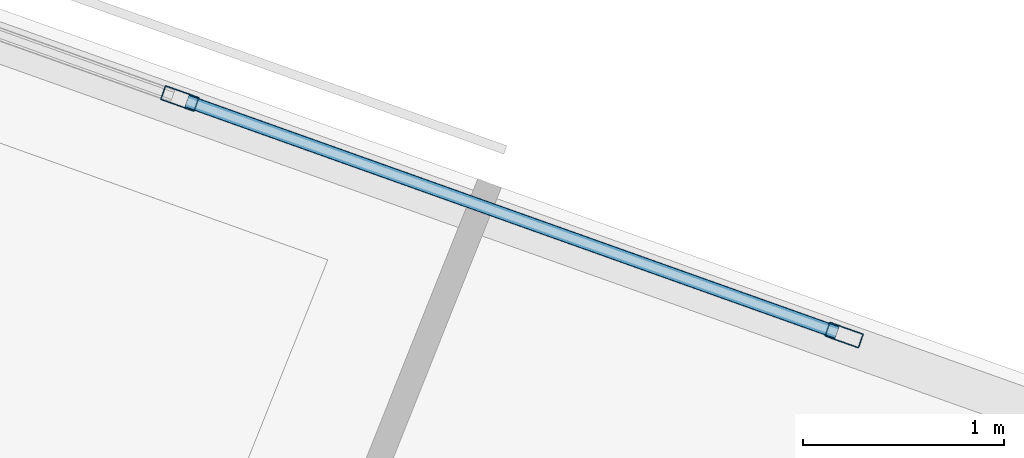
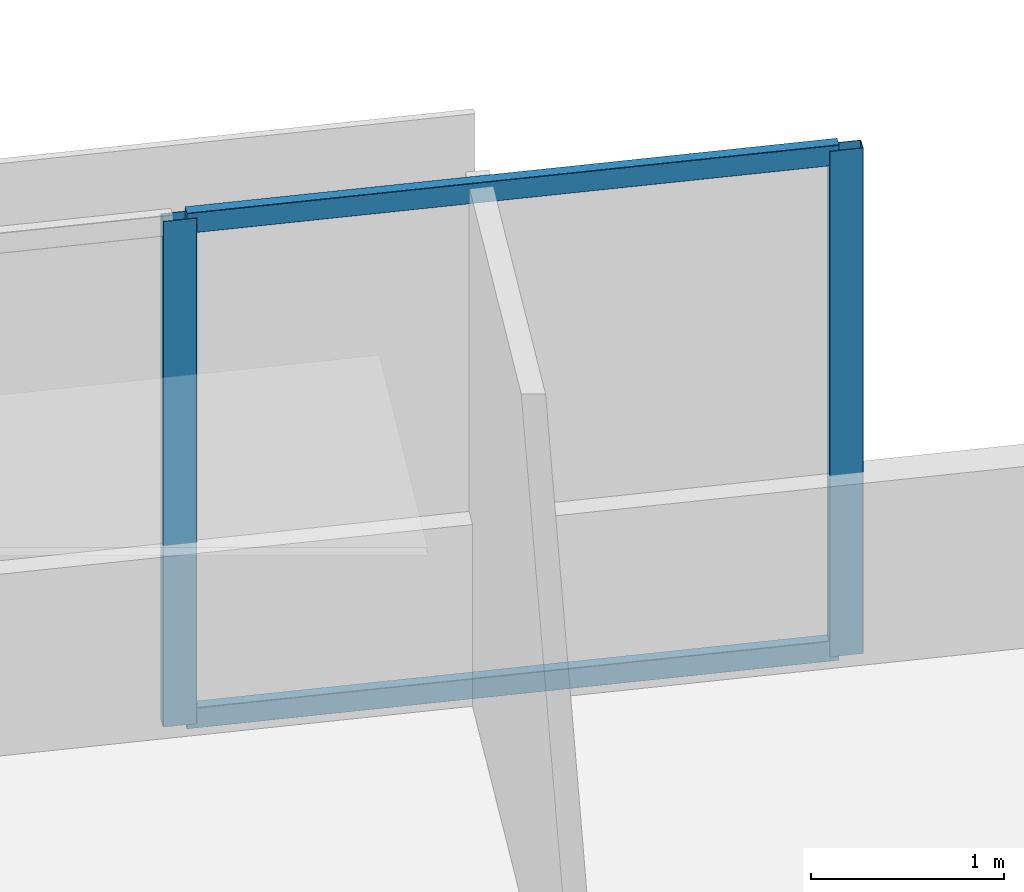
# One storey, part 2 of 14: 4 members, 1 element without a shape of its own.
"""IFC4 building model written with IfcOpenShell, lengths in metres."""

from ifc_helpers import new_model, si_unit, direction, frame, origin, origin_2d, place, context, subcontext, project, spatial, hollow_rectangle, extrude, material, material_profile, profile_set, type_object, element, aggregate, save


model = new_model("IFC4")

# Units and contexts
model_context = context("Model", 3, precision=1e-05, world=origin(), true_north=direction((0.0, 1.0)))
body_context = subcontext(model_context, "Body", "Model", "MODEL_VIEW")
ifc_project = project(units=[si_unit("LENGTHUNIT", "METRE"), si_unit("AREAUNIT", "SQUARE_METRE"), si_unit("VOLUMEUNIT", "CUBIC_METRE"), si_unit("PLANEANGLEUNIT", "RADIAN"), si_unit("MASSUNIT", "GRAM", prefix="KILO")], contexts=[model_context])

# Site, building, storey
site_placement = place(None, origin())
site = spatial("IfcSite", under=ifc_project, at=site_placement, CompositionType="ELEMENT")
building_placement = place(site_placement, origin())
building = spatial("IfcBuilding", under=site, at=building_placement, Name="Narakoshi Arena Tower", CompositionType="ELEMENT")
storey_placement = place(building_placement, frame((0.0, 0.0, 161.10009765625)))
storey = spatial("IfcBuildingStorey", under=building, at=storey_placement, Name="L43", CompositionType="ELEMENT", Elevation=161.10009765625)

# Curtain wall, members
ifc_material = material(Name="Anodised bronze aluminium 6063-T6", Category="aluminium")
curtain_wall_type = type_object("IfcCurtainWallType", Name="CW-HYP-MID", PredefinedType="NOTDEFINED", material=ifc_material)
curtain_wall_placement = place(storey_placement, origin())
curtain_wall = element("IfcCurtainWall", 1, at=curtain_wall_placement, inside=storey, type_object=curtain_wall_type, Name="L43 Folded Hypotenuse Curtain Wall 2-1", PredefinedType="NOTDEFINED")
ifc_material_profile_1 = material_profile(ifc_material, hollow_rectangle(XDim=0.074951171875, YDim=0.179931640625, WallThickness=0.00390625, OuterFilletRadius=0.0048828125, at=origin_2d()), Name="MUL180x75x4")
ifc_profile_set_1 = profile_set([ifc_material_profile_1], Name="Anodised bronze aluminium 6063-T6")
member_type_1 = type_object("IfcMemberType", Name="MEM-MUL-180", PredefinedType="MULLION", material=ifc_profile_set_1)
member_1_placement = place(storey_placement, frame((87.77978515625, 62.73876953125, 0.0), z_axis=(0.0, 0.0, 1.0), x_axis=(-0.335518297139, -0.94203368957, 0.0)))
member_1 = element("IfcMember", 2, at=member_1_placement, type_object=member_type_1, Name="CW-02 mullion 1", PredefinedType="MULLION", context=body_context, shape_type="SweptSolid", body=[
    extrude(hollow_rectangle(XDim=0.074951171875, YDim=0.179931640625, WallThickness=0.00390625, OuterFilletRadius=0.0048828125, at=origin_2d()), origin(), (0.0, 0.0, 1.0), 3.199951171875),
])
member_2_placement = place(storey_placement, frame((84.470458984375, 63.917236328125, 0.0), z_axis=(0.0, 0.0, 1.0), x_axis=(-0.335518297139, -0.94203368957, 0.0)))
member_2 = element("IfcMember", 3, at=member_2_placement, type_object=member_type_1, Name="CW-02 mullion 2", PredefinedType="MULLION", context=body_context, shape_type="SweptSolid", body=[
    extrude(hollow_rectangle(XDim=0.074951171875, YDim=0.179931640625, WallThickness=0.00390625, OuterFilletRadius=0.0048828125, at=origin_2d()), origin(), (0.0, 0.0, 1.0), 3.199951171875),
])
ifc_material_profile_2 = material_profile(ifc_material, hollow_rectangle(XDim=0.06494140625, YDim=0.1298828125, WallThickness=0.00390625, OuterFilletRadius=0.0048828125, at=origin_2d()), Name="TRN130x65x4")
ifc_profile_set_2 = profile_set([ifc_material_profile_2], Name="Anodised bronze aluminium 6063-T6")
member_type_2 = type_object("IfcMemberType", Name="MEM-TRN-130", PredefinedType="USERDEFINED", material=ifc_profile_set_2)
member_3_placement = place(storey_placement, frame((87.744384765625, 62.751220703125, 0.032470703125), z_axis=(-0.942022753127, 0.335549001773, 0.0), x_axis=(-0.335549001773, -0.942022753127, 0.0)))
member_3 = element("IfcMember", 4, at=member_3_placement, type_object=member_type_2, Name="CW-02 transom 1.1", ObjectType="TRANSOM", PredefinedType="USERDEFINED", context=body_context, shape_type="SweptSolid", body=[
    extrude(hollow_rectangle(XDim=0.06494140625, YDim=0.1298828125, WallThickness=0.00390625, OuterFilletRadius=0.0048828125, at=origin_2d()), origin(), (0.0, 0.0, 1.0), 3.437744140625),
])
member_4_placement = place(storey_placement, frame((87.744384765625, 62.751220703125, 3.16748046875), z_axis=(-0.942022753127, 0.335549001773, 0.0), x_axis=(-0.335549001773, -0.942022753127, 0.0)))
member_4 = element("IfcMember", 5, at=member_4_placement, type_object=member_type_2, Name="CW-02 transom 1.2", ObjectType="TRANSOM", PredefinedType="USERDEFINED", context=body_context, shape_type="SweptSolid", body=[
    extrude(hollow_rectangle(XDim=0.06494140625, YDim=0.1298828125, WallThickness=0.00390625, OuterFilletRadius=0.0048828125, at=origin_2d()), origin(), (0.0, 0.0, 1.0), 3.437744140625),
])
aggregate(curtain_wall, [member_1, member_2, member_3, member_4])

save(model, "model.ifc")
